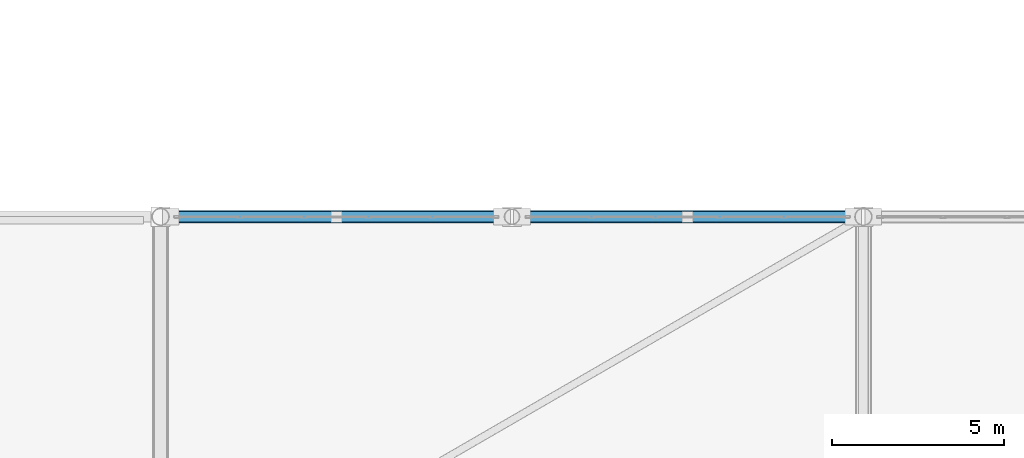
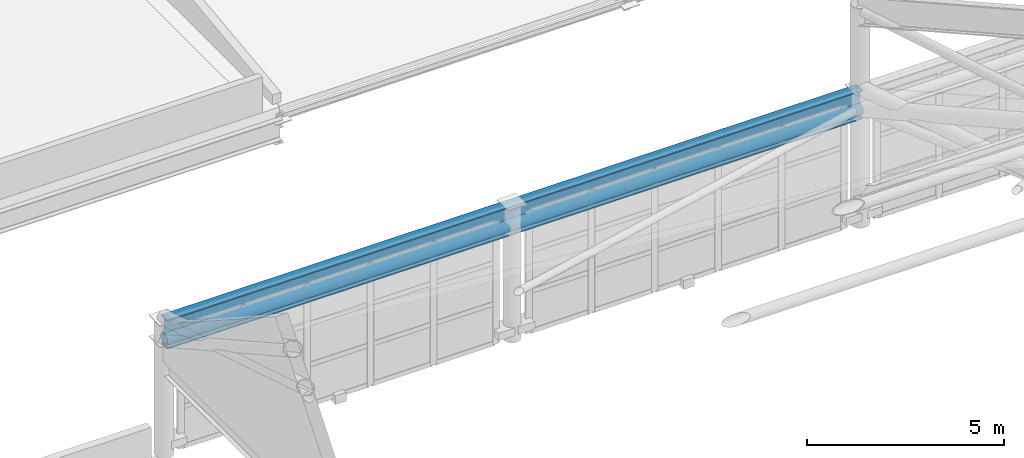
# One storey, part 70 of 135: 1 beam, 1 member.
"""IFC4 building model written with IfcOpenShell, lengths in metres."""

from ifc_helpers import new_model, si_unit, direction, frame, origin, origin_2d, place, context, subcontext, project, spatial, hollow_circle, i_section, extrude, material, material_profile, profile_set, type_object, element, save


model = new_model("IFC4")

# Units and contexts
model_context = context("Model", 3, precision=1e-05, world=origin(), true_north=direction((0.0, 1.0)))
body_context = subcontext(model_context, "Body", "Model", "MODEL_VIEW")
ifc_project = project(units=[si_unit("LENGTHUNIT", "METRE"), si_unit("AREAUNIT", "SQUARE_METRE"), si_unit("VOLUMEUNIT", "CUBIC_METRE"), si_unit("PLANEANGLEUNIT", "RADIAN"), si_unit("MASSUNIT", "GRAM", prefix="KILO")], contexts=[model_context])

# Site, building, storey
site_placement = place(None, origin())
site = spatial("IfcSite", under=ifc_project, at=site_placement, CompositionType="ELEMENT")
building_placement = place(site_placement, origin())
building = spatial("IfcBuilding", under=site, at=building_placement, Name="Brelvane Convention Centre", CompositionType="ELEMENT")
storey_placement = place(building_placement, frame((0.0, 0.0, 15.0)))
storey = spatial("IfcBuildingStorey", under=building, at=storey_placement, Name="L03", CompositionType="ELEMENT", Elevation=15.0)

# Beam
ifc_material_1 = material(Name="Steel E450 (450 MPa)", Category="steel")
ifc_material_profile_1 = material_profile(ifc_material_1, i_section(OverallWidth=0.300048828125, OverallDepth=0.89990234375, WebThickness=0.0166015625, FlangeThickness=0.031982421875, FilletRadius=0.027099609375, at=origin_2d()), Name="NPB 900x300")
ifc_profile_set_1 = profile_set([ifc_material_profile_1], Name="Steel E450 (450 MPa)")
beam_type = type_object("IfcBeamType", Name="Steel Beam B-ST1 (NPB 900x300)", PredefinedType="BEAM", material=ifc_profile_set_1)
beam_placement = place(storey_placement, frame((163.199951171875, 87.800048828125, 3.75), z_axis=(1.0, 0.0, 0.0), x_axis=(0.0, 1.0, 0.0)))
element("IfcBeam", 1, at=beam_placement, inside=storey, type_object=beam_type, Name="SF_PLEN Eaves Ring Girder N-1", PredefinedType="BEAM", context=body_context, shape_type="SweptSolid", body=[
    extrude(i_section(OverallWidth=0.300048828125, OverallDepth=0.89990234375, WebThickness=0.0166015625, FlangeThickness=0.031982421875, FilletRadius=0.027099609375, at=origin_2d()), origin(), (0.0, 0.0, 1.0), 20.400146484375),
])

# Member
ifc_material_2 = material(Name="Steel E450 (450 MPa)", Category="steel")
ifc_material_profile_2 = material_profile(ifc_material_2, hollow_circle(Radius=0.177734375, WallThickness=0.01611328125, at=origin_2d()), Name="CHS 355.6x16.0")
ifc_profile_set_2 = profile_set([ifc_material_profile_2], Name="Steel E450 (450 MPa)")
member_type = type_object("IfcMemberType", Name="Steel Chord SF-TC2 (CHS 355.6x16.0)", PredefinedType="CHORD", material=ifc_profile_set_2)
member_placement = place(storey_placement, frame((163.199951171875, 87.800048828125, 3.5400390625), z_axis=(1.0, 0.0, 0.0), x_axis=(0.0, 1.0, 0.0)))
element("IfcMember", 2, at=member_placement, inside=storey, type_object=member_type, Name="SF_PLEN Longitudinal Top Chord LT1.5", PredefinedType="CHORD", context=body_context, shape_type="SweptSolid", body=[
    extrude(hollow_circle(Radius=0.177734375, WallThickness=0.01611328125, at=origin_2d()), origin(), (0.0, 0.0, 1.0), 20.400146484375),
])

save(model, "model.ifc")
